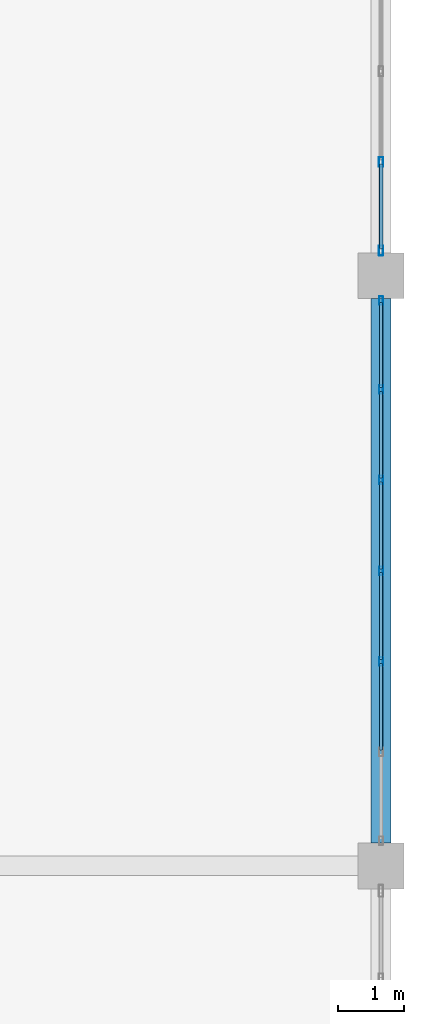
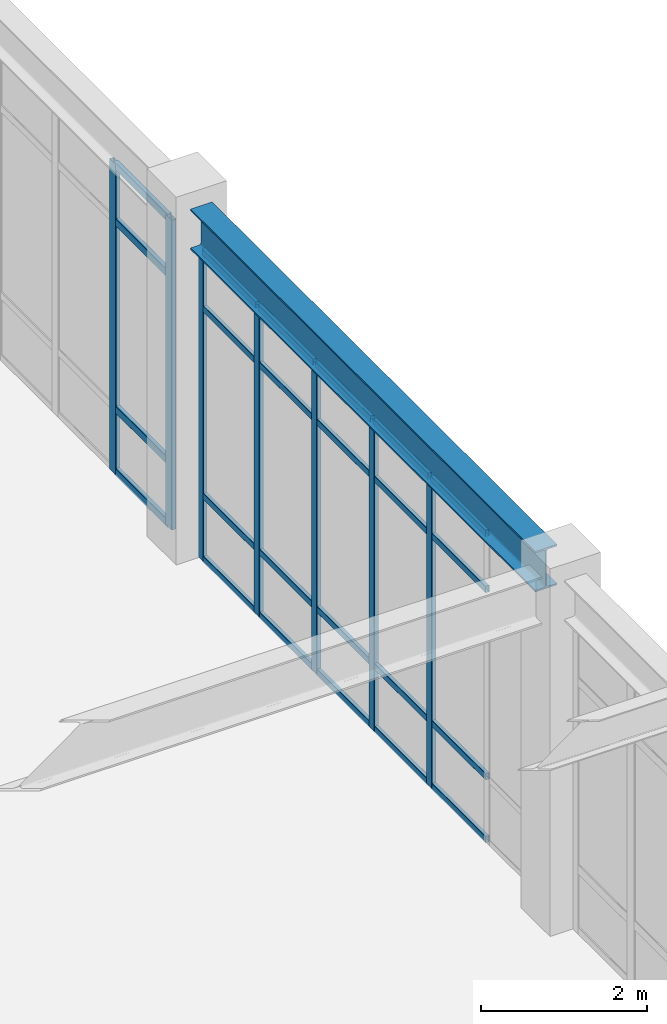
# One storey, part 30 of 80: 31 members, 1 beam, 2 elements without a shape of their own.
"""IFC4 building model written with IfcOpenShell, lengths in metres."""

from ifc_helpers import new_model, si_unit, direction, frame, origin, origin_2d, place, context, subcontext, project, spatial, hollow_rectangle, i_section, extrude, material, material_profile, profile_set, type_object, element, aggregate, save


model = new_model("IFC4")

# Units and contexts
model_context = context("Model", 3, precision=1e-05, world=origin(), true_north=direction((0.0, 1.0)))
body_context = subcontext(model_context, "Body", "Model", "MODEL_VIEW")
ifc_project = project(units=[si_unit("LENGTHUNIT", "METRE"), si_unit("AREAUNIT", "SQUARE_METRE"), si_unit("VOLUMEUNIT", "CUBIC_METRE"), si_unit("PLANEANGLEUNIT", "RADIAN"), si_unit("MASSUNIT", "GRAM", prefix="KILO")], contexts=[model_context])

# Site, building, storey
site_placement = place(None, origin())
site = spatial("IfcSite", under=ifc_project, at=site_placement, CompositionType="ELEMENT")
building_placement = place(site_placement, origin())
building = spatial("IfcBuilding", under=site, at=building_placement, Name="Canglan Escarpment Cableway Terminal", CompositionType="ELEMENT")
storey_placement = place(building_placement, frame((0.0, 0.0, 19.199951171875)))
storey = spatial("IfcBuildingStorey", under=building, at=storey_placement, Name="L04", CompositionType="ELEMENT", Elevation=19.199951171875)

# Beam
ifc_material_1 = material(Name="Steel Q355C", Category="steel")
ifc_material_profile_1 = material_profile(ifc_material_1, i_section(OverallWidth=0.302001953125, OverallDepth=0.593994140625, WebThickness=0.013916015625, FlangeThickness=0.02294921875, FilletRadius=0.028076171875, at=origin_2d()), Name="HM 594x302x14x23")
ifc_profile_set_1 = profile_set([ifc_material_profile_1], Name="Steel Q355C")
beam_type = type_object("IfcBeamType", Name="BM-HM594", PredefinedType="BEAM", material=ifc_profile_set_1)
beam_placement = place(storey_placement, frame((166.39990234375, 52.35009765625, 4.863037109375), z_axis=(0.0, 1.0, 0.0), x_axis=(-1.0, 0.0, 0.0)))
element("IfcBeam", 1, at=beam_placement, inside=storey, type_object=beam_type, Name="Primary transverse girder B-07", PredefinedType="BEAM", context=body_context, shape_type="SweptSolid", body=[
    extrude(i_section(OverallWidth=0.302001953125, OverallDepth=0.593994140625, WebThickness=0.013916015625, FlangeThickness=0.02294921875, FilletRadius=0.028076171875, at=origin_2d()), origin(), (0.0, 0.0, 1.0), 8.2998046875),
])

# Curtain wall, members
ifc_material_2 = material(Name="Anodized bronze aluminium and Low-E double glazing", Category="aluminium")
curtain_wall_type = type_object("IfcCurtainWallType", Name="CW-BAY-8300x4550", PredefinedType="NOTDEFINED", material=ifc_material_2)
curtain_wall_1_placement = place(storey_placement, origin())
curtain_wall_1 = element("IfcCurtainWall", 2, at=curtain_wall_1_placement, inside=storey, type_object=curtain_wall_type, Name="Classical bay-between-piers glazed curtain wall CW-64", PredefinedType="NOTDEFINED")
ifc_material_3 = material(Name="Thermally broken anodized aluminium 6063-T6", Category="aluminium")
ifc_material_profile_2 = material_profile(ifc_material_3, hollow_rectangle(XDim=0.06005859375, YDim=0.1298828125, WallThickness=0.0029296875, InnerFilletRadius=0.0029296875, OuterFilletRadius=0.006103515625, at=origin_2d()), Name="ALU-MULL 60x130x3")
ifc_profile_set_2 = profile_set([ifc_material_profile_2], Name="Thermally broken anodized aluminium 6063-T6")
member_type_1 = type_object("IfcMemberType", Name="CWM-01", PredefinedType="MULLION", material=ifc_profile_set_2)
member_1_placement = place(storey_placement, frame((166.39990234375, 55.11669921875, 0.0), z_axis=(0.0, 0.0, 1.0), x_axis=(-1.0, 0.0, 0.0)))
member_1 = element("IfcMember", 3, at=member_1_placement, type_object=member_type_1, Name="CW-64 mullion 3", PredefinedType="MULLION", context=body_context, shape_type="SweptSolid", body=[
    extrude(hollow_rectangle(XDim=0.06005859375, YDim=0.1298828125, WallThickness=0.0029296875, InnerFilletRadius=0.0029296875, OuterFilletRadius=0.006103515625, at=origin_2d()), origin(), (0.0, 0.0, 1.0), 4.551025390625),
])
member_2_placement = place(storey_placement, frame((166.39990234375, 56.5, 0.0), z_axis=(0.0, 0.0, 1.0), x_axis=(-1.0, 0.0, 0.0)))
member_2 = element("IfcMember", 4, at=member_2_placement, type_object=member_type_1, Name="CW-64 mullion 4", PredefinedType="MULLION", context=body_context, shape_type="SweptSolid", body=[
    extrude(hollow_rectangle(XDim=0.06005859375, YDim=0.1298828125, WallThickness=0.0029296875, InnerFilletRadius=0.0029296875, OuterFilletRadius=0.006103515625, at=origin_2d()), origin(), (0.0, 0.0, 1.0), 4.551025390625),
])
member_3_placement = place(storey_placement, frame((166.39990234375, 57.88330078125, 0.0), z_axis=(0.0, 0.0, 1.0), x_axis=(-1.0, 0.0, 0.0)))
member_3 = element("IfcMember", 5, at=member_3_placement, type_object=member_type_1, Name="CW-64 mullion 5", PredefinedType="MULLION", context=body_context, shape_type="SweptSolid", body=[
    extrude(hollow_rectangle(XDim=0.06005859375, YDim=0.1298828125, WallThickness=0.0029296875, InnerFilletRadius=0.0029296875, OuterFilletRadius=0.006103515625, at=origin_2d()), origin(), (0.0, 0.0, 1.0), 4.551025390625),
])
member_4_placement = place(storey_placement, frame((166.39990234375, 59.2666015625, 0.0), z_axis=(0.0, 0.0, 1.0), x_axis=(-1.0, 0.0, 0.0)))
member_4 = element("IfcMember", 6, at=member_4_placement, type_object=member_type_1, Name="CW-64 mullion 6", PredefinedType="MULLION", context=body_context, shape_type="SweptSolid", body=[
    extrude(hollow_rectangle(XDim=0.06005859375, YDim=0.1298828125, WallThickness=0.0029296875, InnerFilletRadius=0.0029296875, OuterFilletRadius=0.006103515625, at=origin_2d()), origin(), (0.0, 0.0, 1.0), 4.551025390625),
])
member_5_placement = place(storey_placement, frame((166.39990234375, 60.6201171875, 0.0), z_axis=(0.0, 0.0, 1.0), x_axis=(-1.0, 0.0, 0.0)))
member_5 = element("IfcMember", 7, at=member_5_placement, type_object=member_type_1, Name="CW-64 mullion 7", PredefinedType="MULLION", context=body_context, shape_type="SweptSolid", body=[
    extrude(hollow_rectangle(XDim=0.06005859375, YDim=0.1298828125, WallThickness=0.0029296875, InnerFilletRadius=0.0029296875, OuterFilletRadius=0.006103515625, at=origin_2d()), origin(), (0.0, 0.0, 1.0), 4.551025390625),
])

curtain_wall_2_placement = place(storey_placement, origin())
curtain_wall_2 = element("IfcCurtainWall", 8, at=curtain_wall_2_placement, inside=storey, type_object=curtain_wall_type, Name="Classical bay-between-piers glazed curtain wall CW-64", PredefinedType="NOTDEFINED")
ifc_material_profile_3 = material_profile(ifc_material_3, hollow_rectangle(XDim=0.06494140625, YDim=0.14990234375, WallThickness=0.00341796875, InnerFilletRadius=0.00341796875, OuterFilletRadius=0.007080078125, at=origin_2d()), Name="ALU-MULL 65x150x3.5")
ifc_profile_set_3 = profile_set([ifc_material_profile_3], Name="Thermally broken anodized aluminium 6063-T6")
member_type_2 = type_object("IfcMemberType", Name="CWM-02", PredefinedType="MULLION", material=ifc_profile_set_3)
member_6_placement = place(storey_placement, frame((166.39990234375, 61.382568359375, 0.0), z_axis=(0.0, 0.0, 1.0), x_axis=(-1.0, 0.0, 0.0)))
member_6 = element("IfcMember", 9, at=member_6_placement, type_object=member_type_2, Name="CW-64 mullion 1", PredefinedType="MULLION", context=body_context, shape_type="SweptSolid", body=[
    extrude(hollow_rectangle(XDim=0.06494140625, YDim=0.14990234375, WallThickness=0.00341796875, InnerFilletRadius=0.00341796875, OuterFilletRadius=0.007080078125, at=origin_2d()), origin(), (0.0, 0.0, 1.0), 4.551025390625),
])
member_7_placement = place(storey_placement, frame((166.39990234375, 62.7333984375, 0.0), z_axis=(0.0, 0.0, 1.0), x_axis=(-1.0, 0.0, 0.0)))
member_7 = element("IfcMember", 10, at=member_7_placement, type_object=member_type_2, Name="CW-64 mullion 2", PredefinedType="MULLION", context=body_context, shape_type="SweptSolid", body=[
    extrude(hollow_rectangle(XDim=0.06494140625, YDim=0.14990234375, WallThickness=0.00341796875, InnerFilletRadius=0.00341796875, OuterFilletRadius=0.007080078125, at=origin_2d()), origin(), (0.0, 0.0, 1.0), 4.551025390625),
])

# Member
ifc_material_profile_4 = material_profile(ifc_material_3, hollow_rectangle(XDim=0.054931640625, YDim=0.094970703125, WallThickness=0.0029296875, InnerFilletRadius=0.0029296875, OuterFilletRadius=0.006103515625, at=origin_2d()), Name="ALU-TRAN 55x95x3")
ifc_profile_set_4 = profile_set([ifc_material_profile_4], Name="Thermally broken anodized aluminium 6063-T6")
member_type_3 = type_object("IfcMemberType", Name="CWT-01", PredefinedType="USERDEFINED", material=ifc_profile_set_4)
member_8_placement = place(storey_placement, frame((166.39990234375, 53.763427734375, 0.027587890625), z_axis=(0.0, 1.0, 0.0), x_axis=(-1.0, 0.0, 0.0)))
member_8 = element("IfcMember", 11, at=member_8_placement, type_object=member_type_3, Name="CW-64 transom 2.1", ObjectType="TRANSOM", PredefinedType="USERDEFINED", context=body_context, shape_type="SweptSolid", body=[
    extrude(hollow_rectangle(XDim=0.054931640625, YDim=0.094970703125, WallThickness=0.0029296875, InnerFilletRadius=0.0029296875, OuterFilletRadius=0.006103515625, at=origin_2d()), origin(), (0.0, 0.0, 1.0), 1.3232421875),
])

member_9_placement = place(storey_placement, frame((166.39990234375, 53.763427734375, 0.949951171875), z_axis=(0.0, 1.0, 0.0), x_axis=(-1.0, 0.0, 0.0)))
member_9 = element("IfcMember", 12, at=member_9_placement, type_object=member_type_3, Name="CW-64 transom 2.2", ObjectType="TRANSOM", PredefinedType="USERDEFINED", context=body_context, shape_type="SweptSolid", body=[
    extrude(hollow_rectangle(XDim=0.054931640625, YDim=0.094970703125, WallThickness=0.0029296875, InnerFilletRadius=0.0029296875, OuterFilletRadius=0.006103515625, at=origin_2d()), origin(), (0.0, 0.0, 1.0), 1.3232421875),
])

member_10_placement = place(storey_placement, frame((166.39990234375, 53.763427734375, 3.700927734375), z_axis=(0.0, 1.0, 0.0), x_axis=(-1.0, 0.0, 0.0)))
member_10 = element("IfcMember", 13, at=member_10_placement, type_object=member_type_3, Name="CW-64 transom 2.3", ObjectType="TRANSOM", PredefinedType="USERDEFINED", context=body_context, shape_type="SweptSolid", body=[
    extrude(hollow_rectangle(XDim=0.054931640625, YDim=0.094970703125, WallThickness=0.0029296875, InnerFilletRadius=0.0029296875, OuterFilletRadius=0.006103515625, at=origin_2d()), origin(), (0.0, 0.0, 1.0), 1.3232421875),
])

member_11_placement = place(storey_placement, frame((166.39990234375, 53.763427734375, 4.5234375), z_axis=(0.0, 1.0, 0.0), x_axis=(-1.0, 0.0, 0.0)))
member_11 = element("IfcMember", 14, at=member_11_placement, type_object=member_type_3, Name="CW-64 transom 2.4", ObjectType="TRANSOM", PredefinedType="USERDEFINED", context=body_context, shape_type="SweptSolid", body=[
    extrude(hollow_rectangle(XDim=0.054931640625, YDim=0.094970703125, WallThickness=0.0029296875, InnerFilletRadius=0.0029296875, OuterFilletRadius=0.006103515625, at=origin_2d()), origin(), (0.0, 0.0, 1.0), 1.3232421875),
])

member_12_placement = place(storey_placement, frame((166.39990234375, 55.146728515625, 0.027587890625), z_axis=(0.0, 1.0, 0.0), x_axis=(-1.0, 0.0, 0.0)))
member_12 = element("IfcMember", 15, at=member_12_placement, type_object=member_type_3, Name="CW-64 transom 3.1", ObjectType="TRANSOM", PredefinedType="USERDEFINED", context=body_context, shape_type="SweptSolid", body=[
    extrude(hollow_rectangle(XDim=0.054931640625, YDim=0.094970703125, WallThickness=0.0029296875, InnerFilletRadius=0.0029296875, OuterFilletRadius=0.006103515625, at=origin_2d()), origin(), (0.0, 0.0, 1.0), 1.3232421875),
])

member_13_placement = place(storey_placement, frame((166.39990234375, 55.146728515625, 0.949951171875), z_axis=(0.0, 1.0, 0.0), x_axis=(-1.0, 0.0, 0.0)))
member_13 = element("IfcMember", 16, at=member_13_placement, type_object=member_type_3, Name="CW-64 transom 3.2", ObjectType="TRANSOM", PredefinedType="USERDEFINED", context=body_context, shape_type="SweptSolid", body=[
    extrude(hollow_rectangle(XDim=0.054931640625, YDim=0.094970703125, WallThickness=0.0029296875, InnerFilletRadius=0.0029296875, OuterFilletRadius=0.006103515625, at=origin_2d()), origin(), (0.0, 0.0, 1.0), 1.3232421875),
])

member_14_placement = place(storey_placement, frame((166.39990234375, 55.146728515625, 3.700927734375), z_axis=(0.0, 1.0, 0.0), x_axis=(-1.0, 0.0, 0.0)))
member_14 = element("IfcMember", 17, at=member_14_placement, type_object=member_type_3, Name="CW-64 transom 3.3", ObjectType="TRANSOM", PredefinedType="USERDEFINED", context=body_context, shape_type="SweptSolid", body=[
    extrude(hollow_rectangle(XDim=0.054931640625, YDim=0.094970703125, WallThickness=0.0029296875, InnerFilletRadius=0.0029296875, OuterFilletRadius=0.006103515625, at=origin_2d()), origin(), (0.0, 0.0, 1.0), 1.3232421875),
])

member_15_placement = place(storey_placement, frame((166.39990234375, 55.146728515625, 4.5234375), z_axis=(0.0, 1.0, 0.0), x_axis=(-1.0, 0.0, 0.0)))
member_15 = element("IfcMember", 18, at=member_15_placement, type_object=member_type_3, Name="CW-64 transom 3.4", ObjectType="TRANSOM", PredefinedType="USERDEFINED", context=body_context, shape_type="SweptSolid", body=[
    extrude(hollow_rectangle(XDim=0.054931640625, YDim=0.094970703125, WallThickness=0.0029296875, InnerFilletRadius=0.0029296875, OuterFilletRadius=0.006103515625, at=origin_2d()), origin(), (0.0, 0.0, 1.0), 1.3232421875),
])

member_16_placement = place(storey_placement, frame((166.39990234375, 56.530029296875, 0.027587890625), z_axis=(0.0, 1.0, 0.0), x_axis=(-1.0, 0.0, 0.0)))
member_16 = element("IfcMember", 19, at=member_16_placement, type_object=member_type_3, Name="CW-64 transom 4.1", ObjectType="TRANSOM", PredefinedType="USERDEFINED", context=body_context, shape_type="SweptSolid", body=[
    extrude(hollow_rectangle(XDim=0.054931640625, YDim=0.094970703125, WallThickness=0.0029296875, InnerFilletRadius=0.0029296875, OuterFilletRadius=0.006103515625, at=origin_2d()), origin(), (0.0, 0.0, 1.0), 1.3232421875),
])

member_17_placement = place(storey_placement, frame((166.39990234375, 56.530029296875, 0.949951171875), z_axis=(0.0, 1.0, 0.0), x_axis=(-1.0, 0.0, 0.0)))
member_17 = element("IfcMember", 20, at=member_17_placement, type_object=member_type_3, Name="CW-64 transom 4.2", ObjectType="TRANSOM", PredefinedType="USERDEFINED", context=body_context, shape_type="SweptSolid", body=[
    extrude(hollow_rectangle(XDim=0.054931640625, YDim=0.094970703125, WallThickness=0.0029296875, InnerFilletRadius=0.0029296875, OuterFilletRadius=0.006103515625, at=origin_2d()), origin(), (0.0, 0.0, 1.0), 1.3232421875),
])

member_18_placement = place(storey_placement, frame((166.39990234375, 56.530029296875, 3.700927734375), z_axis=(0.0, 1.0, 0.0), x_axis=(-1.0, 0.0, 0.0)))
member_18 = element("IfcMember", 21, at=member_18_placement, type_object=member_type_3, Name="CW-64 transom 4.3", ObjectType="TRANSOM", PredefinedType="USERDEFINED", context=body_context, shape_type="SweptSolid", body=[
    extrude(hollow_rectangle(XDim=0.054931640625, YDim=0.094970703125, WallThickness=0.0029296875, InnerFilletRadius=0.0029296875, OuterFilletRadius=0.006103515625, at=origin_2d()), origin(), (0.0, 0.0, 1.0), 1.3232421875),
])

member_19_placement = place(storey_placement, frame((166.39990234375, 56.530029296875, 4.5234375), z_axis=(0.0, 1.0, 0.0), x_axis=(-1.0, 0.0, 0.0)))
member_19 = element("IfcMember", 22, at=member_19_placement, type_object=member_type_3, Name="CW-64 transom 4.4", ObjectType="TRANSOM", PredefinedType="USERDEFINED", context=body_context, shape_type="SweptSolid", body=[
    extrude(hollow_rectangle(XDim=0.054931640625, YDim=0.094970703125, WallThickness=0.0029296875, InnerFilletRadius=0.0029296875, OuterFilletRadius=0.006103515625, at=origin_2d()), origin(), (0.0, 0.0, 1.0), 1.3232421875),
])

member_20_placement = place(storey_placement, frame((166.39990234375, 57.913330078125, 0.027587890625), z_axis=(0.0, 1.0, 0.0), x_axis=(-1.0, 0.0, 0.0)))
member_20 = element("IfcMember", 23, at=member_20_placement, type_object=member_type_3, Name="CW-64 transom 5.1", ObjectType="TRANSOM", PredefinedType="USERDEFINED", context=body_context, shape_type="SweptSolid", body=[
    extrude(hollow_rectangle(XDim=0.054931640625, YDim=0.094970703125, WallThickness=0.0029296875, InnerFilletRadius=0.0029296875, OuterFilletRadius=0.006103515625, at=origin_2d()), origin(), (0.0, 0.0, 1.0), 1.3232421875),
])

member_21_placement = place(storey_placement, frame((166.39990234375, 57.913330078125, 0.949951171875), z_axis=(0.0, 1.0, 0.0), x_axis=(-1.0, 0.0, 0.0)))
member_21 = element("IfcMember", 24, at=member_21_placement, type_object=member_type_3, Name="CW-64 transom 5.2", ObjectType="TRANSOM", PredefinedType="USERDEFINED", context=body_context, shape_type="SweptSolid", body=[
    extrude(hollow_rectangle(XDim=0.054931640625, YDim=0.094970703125, WallThickness=0.0029296875, InnerFilletRadius=0.0029296875, OuterFilletRadius=0.006103515625, at=origin_2d()), origin(), (0.0, 0.0, 1.0), 1.3232421875),
])

member_22_placement = place(storey_placement, frame((166.39990234375, 57.913330078125, 3.700927734375), z_axis=(0.0, 1.0, 0.0), x_axis=(-1.0, 0.0, 0.0)))
member_22 = element("IfcMember", 25, at=member_22_placement, type_object=member_type_3, Name="CW-64 transom 5.3", ObjectType="TRANSOM", PredefinedType="USERDEFINED", context=body_context, shape_type="SweptSolid", body=[
    extrude(hollow_rectangle(XDim=0.054931640625, YDim=0.094970703125, WallThickness=0.0029296875, InnerFilletRadius=0.0029296875, OuterFilletRadius=0.006103515625, at=origin_2d()), origin(), (0.0, 0.0, 1.0), 1.3232421875),
])

member_23_placement = place(storey_placement, frame((166.39990234375, 57.913330078125, 4.5234375), z_axis=(0.0, 1.0, 0.0), x_axis=(-1.0, 0.0, 0.0)))
member_23 = element("IfcMember", 26, at=member_23_placement, type_object=member_type_3, Name="CW-64 transom 5.4", ObjectType="TRANSOM", PredefinedType="USERDEFINED", context=body_context, shape_type="SweptSolid", body=[
    extrude(hollow_rectangle(XDim=0.054931640625, YDim=0.094970703125, WallThickness=0.0029296875, InnerFilletRadius=0.0029296875, OuterFilletRadius=0.006103515625, at=origin_2d()), origin(), (0.0, 0.0, 1.0), 1.3232421875),
])

member_24_placement = place(storey_placement, frame((166.39990234375, 59.296630859375, 0.027587890625), z_axis=(0.0, 1.0, 0.0), x_axis=(-1.0, 0.0, 0.0)))
member_24 = element("IfcMember", 27, at=member_24_placement, type_object=member_type_3, Name="CW-64 transom 6.1", ObjectType="TRANSOM", PredefinedType="USERDEFINED", context=body_context, shape_type="SweptSolid", body=[
    extrude(hollow_rectangle(XDim=0.054931640625, YDim=0.094970703125, WallThickness=0.0029296875, InnerFilletRadius=0.0029296875, OuterFilletRadius=0.006103515625, at=origin_2d()), origin(), (0.0, 0.0, 1.0), 1.29345703125),
])

member_25_placement = place(storey_placement, frame((166.39990234375, 59.296630859375, 0.949951171875), z_axis=(0.0, 1.0, 0.0), x_axis=(-1.0, 0.0, 0.0)))
member_25 = element("IfcMember", 28, at=member_25_placement, type_object=member_type_3, Name="CW-64 transom 6.2", ObjectType="TRANSOM", PredefinedType="USERDEFINED", context=body_context, shape_type="SweptSolid", body=[
    extrude(hollow_rectangle(XDim=0.054931640625, YDim=0.094970703125, WallThickness=0.0029296875, InnerFilletRadius=0.0029296875, OuterFilletRadius=0.006103515625, at=origin_2d()), origin(), (0.0, 0.0, 1.0), 1.29345703125),
])

member_26_placement = place(storey_placement, frame((166.39990234375, 59.296630859375, 3.700927734375), z_axis=(0.0, 1.0, 0.0), x_axis=(-1.0, 0.0, 0.0)))
member_26 = element("IfcMember", 29, at=member_26_placement, type_object=member_type_3, Name="CW-64 transom 6.3", ObjectType="TRANSOM", PredefinedType="USERDEFINED", context=body_context, shape_type="SweptSolid", body=[
    extrude(hollow_rectangle(XDim=0.054931640625, YDim=0.094970703125, WallThickness=0.0029296875, InnerFilletRadius=0.0029296875, OuterFilletRadius=0.006103515625, at=origin_2d()), origin(), (0.0, 0.0, 1.0), 1.29345703125),
])

member_27_placement = place(storey_placement, frame((166.39990234375, 59.296630859375, 4.5234375), z_axis=(0.0, 1.0, 0.0), x_axis=(-1.0, 0.0, 0.0)))
member_27 = element("IfcMember", 30, at=member_27_placement, type_object=member_type_3, Name="CW-64 transom 6.4", ObjectType="TRANSOM", PredefinedType="USERDEFINED", context=body_context, shape_type="SweptSolid", body=[
    extrude(hollow_rectangle(XDim=0.054931640625, YDim=0.094970703125, WallThickness=0.0029296875, InnerFilletRadius=0.0029296875, OuterFilletRadius=0.006103515625, at=origin_2d()), origin(), (0.0, 0.0, 1.0), 1.29345703125),
])

aggregate(curtain_wall_1, [member_1, member_2, member_3, member_4, member_5, member_8, member_9, member_10, member_11, member_12, member_13, member_14, member_15, member_16, member_17, member_18, member_19, member_20, member_21, member_22, member_23, member_24, member_25, member_26, member_27])

ifc_material_profile_5 = material_profile(ifc_material_3, hollow_rectangle(XDim=0.06005859375, YDim=0.110107421875, WallThickness=0.0029296875, InnerFilletRadius=0.0029296875, OuterFilletRadius=0.006103515625, at=origin_2d()), Name="ALU-TRAN 60x110x3")
ifc_profile_set_5 = profile_set([ifc_material_profile_5], Name="Thermally broken anodized aluminium 6063-T6")
member_type_4 = type_object("IfcMemberType", Name="CWT-02", PredefinedType="USERDEFINED", material=ifc_profile_set_5)
member_28_placement = place(storey_placement, frame((166.39990234375, 61.4150390625, 0.030029296875), z_axis=(0.0, 1.0, 0.0), x_axis=(-1.0, 0.0, 0.0)))
member_28 = element("IfcMember", 31, at=member_28_placement, type_object=member_type_4, Name="CW-64 transom 1.1", ObjectType="TRANSOM", PredefinedType="USERDEFINED", context=body_context, shape_type="SweptSolid", body=[
    extrude(hollow_rectangle(XDim=0.06005859375, YDim=0.110107421875, WallThickness=0.0029296875, InnerFilletRadius=0.0029296875, OuterFilletRadius=0.006103515625, at=origin_2d()), origin(), (0.0, 0.0, 1.0), 1.285888671875),
])

member_29_placement = place(storey_placement, frame((166.39990234375, 61.4150390625, 0.949951171875), z_axis=(0.0, 1.0, 0.0), x_axis=(-1.0, 0.0, 0.0)))
member_29 = element("IfcMember", 32, at=member_29_placement, type_object=member_type_4, Name="CW-64 transom 1.2", ObjectType="TRANSOM", PredefinedType="USERDEFINED", context=body_context, shape_type="SweptSolid", body=[
    extrude(hollow_rectangle(XDim=0.06005859375, YDim=0.110107421875, WallThickness=0.0029296875, InnerFilletRadius=0.0029296875, OuterFilletRadius=0.006103515625, at=origin_2d()), origin(), (0.0, 0.0, 1.0), 1.285888671875),
])

member_30_placement = place(storey_placement, frame((166.39990234375, 61.4150390625, 3.700927734375), z_axis=(0.0, 1.0, 0.0), x_axis=(-1.0, 0.0, 0.0)))
member_30 = element("IfcMember", 33, at=member_30_placement, type_object=member_type_4, Name="CW-64 transom 1.3", ObjectType="TRANSOM", PredefinedType="USERDEFINED", context=body_context, shape_type="SweptSolid", body=[
    extrude(hollow_rectangle(XDim=0.06005859375, YDim=0.110107421875, WallThickness=0.0029296875, InnerFilletRadius=0.0029296875, OuterFilletRadius=0.006103515625, at=origin_2d()), origin(), (0.0, 0.0, 1.0), 1.285888671875),
])

member_31_placement = place(storey_placement, frame((166.39990234375, 61.4150390625, 4.52099609375), z_axis=(0.0, 1.0, 0.0), x_axis=(-1.0, 0.0, 0.0)))
member_31 = element("IfcMember", 34, at=member_31_placement, type_object=member_type_4, Name="CW-64 transom 1.4", ObjectType="TRANSOM", PredefinedType="USERDEFINED", context=body_context, shape_type="SweptSolid", body=[
    extrude(hollow_rectangle(XDim=0.06005859375, YDim=0.110107421875, WallThickness=0.0029296875, InnerFilletRadius=0.0029296875, OuterFilletRadius=0.006103515625, at=origin_2d()), origin(), (0.0, 0.0, 1.0), 1.285888671875),
])

aggregate(curtain_wall_2, [member_6, member_7, member_28, member_29, member_30, member_31])

save(model, "model.ifc")
